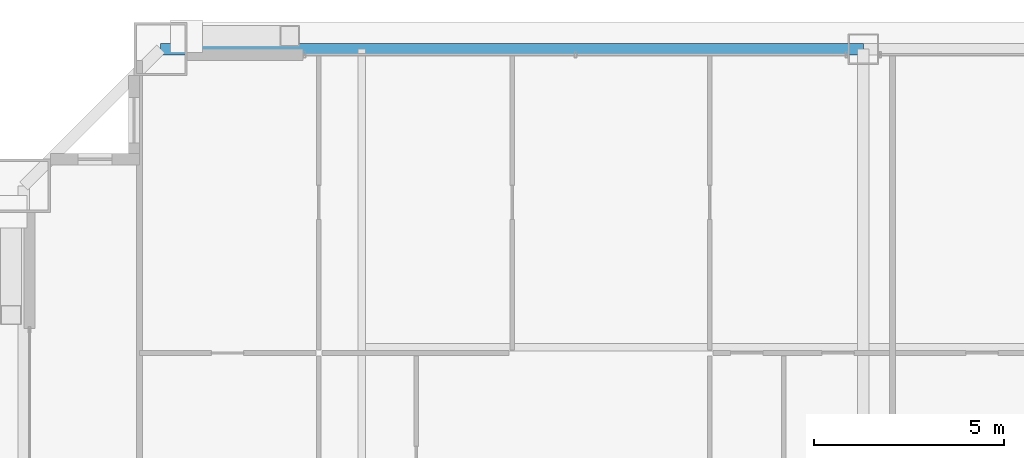
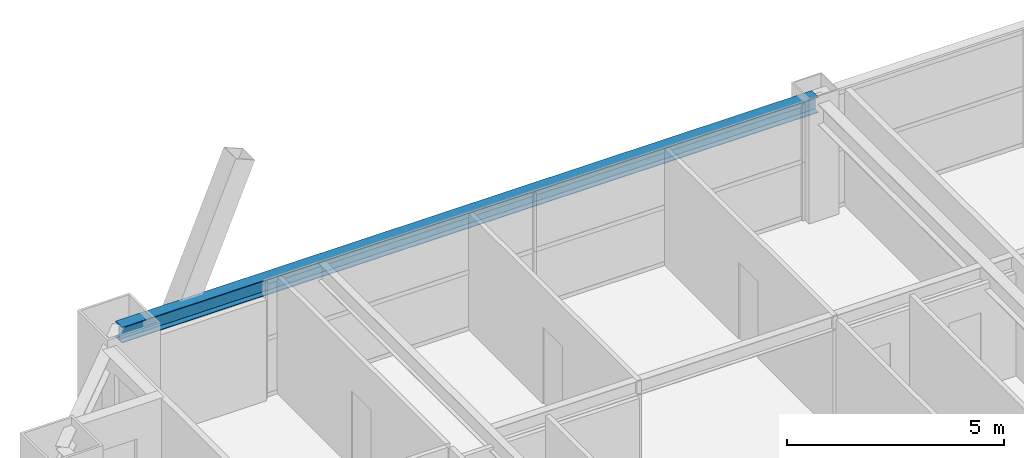
# One storey, part 32 of 45: 1 beam.
"""IFC4 building model written with IfcOpenShell, lengths in metres."""

from ifc_helpers import new_model, si_unit, direction, frame, origin, origin_2d, place, context, subcontext, project, spatial, i_section, extrude, source, transform, mapped, material, material_profile, profile_set, type_object, element, save


model = new_model("IFC4")

# Units and contexts
model_context = context("Model", 3, precision=1e-05, world=origin(), true_north=direction((0.0, 1.0)))
body_context = subcontext(model_context, "Body", "Model", "MODEL_VIEW")
ifc_project = project(units=[si_unit("LENGTHUNIT", "METRE"), si_unit("AREAUNIT", "SQUARE_METRE"), si_unit("VOLUMEUNIT", "CUBIC_METRE"), si_unit("PLANEANGLEUNIT", "RADIAN"), si_unit("MASSUNIT", "GRAM", prefix="KILO"), si_unit("THERMODYNAMICTEMPERATUREUNIT", "KELVIN"), si_unit("POWERUNIT", "WATT")], contexts=[model_context])

# Site, building, storey
site_placement = place(None, origin())
site = spatial("IfcSite", under=ifc_project, at=site_placement, CompositionType="ELEMENT")
building_placement = place(site_placement, origin())
building = spatial("IfcBuilding", under=site, at=building_placement, Name="Yuzanri Waterfront Tower", CompositionType="ELEMENT")
storey_placement = place(building_placement, frame((0.0, 0.0, 191.5)))
storey = spatial("IfcBuildingStorey", under=building, at=storey_placement, Name="L50", CompositionType="ELEMENT", Elevation=191.5)

# Beam
ifc_material = material(Name="Steel Q355B", Category="steel")
ifc_material_profile = material_profile(ifc_material, i_section(OverallWidth=0.300048828125, OverallDepth=0.43994140625, WebThickness=0.010986328125, FlangeThickness=0.01806640625, at=origin_2d()), Name="HM 440x300x11x18")
ifc_profile_set = profile_set([ifc_material_profile], Name="Steel Q355B")
beam_type = type_object("IfcBeamType", Name="Perimeter Spandrel Q355B HM 440x300", PredefinedType="SPANDREL", material=ifc_profile_set)
shared_shape = source(origin(), body_context, "Body", "SweptSolid", [
    extrude(i_section(OverallWidth=0.300048828125, OverallDepth=0.43994140625, WebThickness=0.010986328125, FlangeThickness=0.01806640625, at=origin_2d()), origin(), (0.0, 0.0, 1.0), 18.5),
])
beam_placement = place(storey_placement, frame((37.0, 47.89990234375, 3.06005859375), z_axis=(-1.0, 0.0, 0.0), x_axis=(0.0, -1.0, 0.0)))
element("IfcBeam", 1, at=beam_placement, inside=storey, type_object=beam_type, Name="L50 Perimeter Spandrel N2-N1", PredefinedType="SPANDREL", context=body_context, shape_type="MappedRepresentation", body=[
    mapped(shared_shape, transform((0.0, 0.0, 0.0), scale=1.0)),
])

save(model, "model.ifc")
